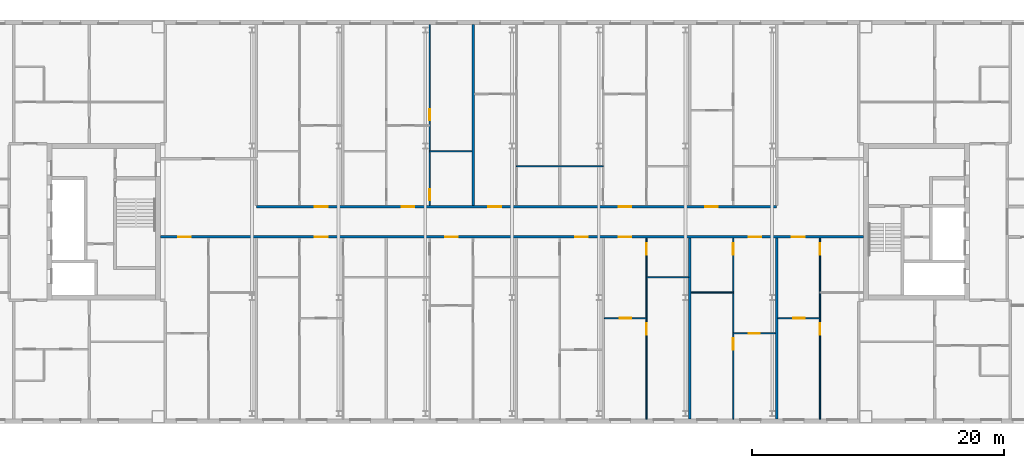
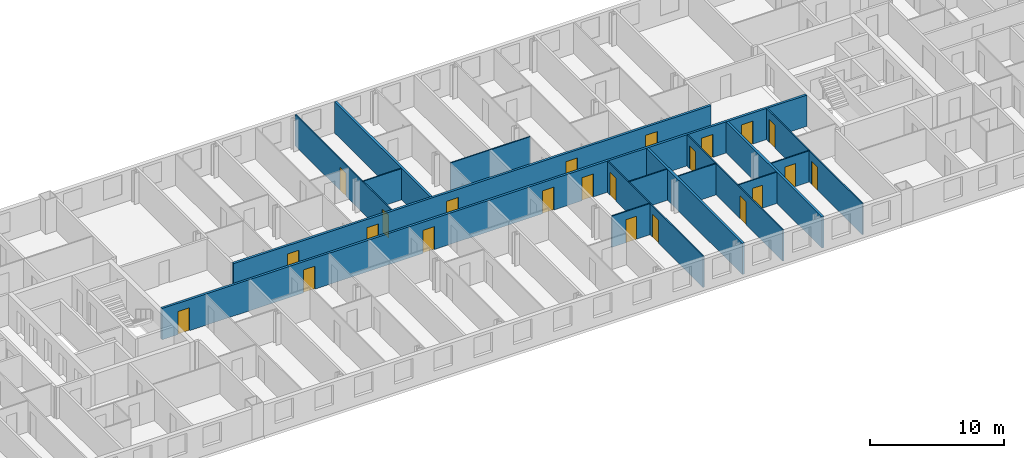
# One storey, part 11 of 19: 23 doors, 16 walls, 23 openings.
"""IFC4 building model written with IfcOpenShell, lengths in metres."""

import ifcopenshell
import ifcopenshell.guid

model = None  # the IFC model being written
_history = None  # IfcOwnerHistory: only IFC2X3 demands one
_inside = {}  # id of a spatial element -> (the spatial element, [elements in it])
_under = {}  # id of a project, library or spatial element -> (it, [spatial elements below it])
_declared = {}  # id of a project -> (the project, [libraries it declares])
_typed = {}  # id of a type object -> (the type object, [elements of that type])
_made_of = {}  # id of a material, layer set ... -> (it, [elements and type objects made of it])


def new_model(schema):
    """Start an empty IFC model of exactly this schema.

    Asked for "IFC4X3", IfcOpenShell would pick the latest addendum, in which some entities
    have other attributes; the version numbers below select the first issue.
    IFC2X3 requires an IfcOwnerHistory on every rooted entity: one is made here for all.
    """
    global model, _history
    if schema == "IFC4X3":
        model = ifcopenshell.file(schema_version=(4, 3, 0, 0))
    else:
        model = ifcopenshell.file(schema=schema)
    _inside.clear()
    _under.clear()
    _declared.clear()
    _typed.clear()
    _made_of.clear()
    _history = None
    if model.schema == "IFC2X3":
        org = make("IfcOrganization", Name="unknown")
        user = make(
            "IfcPersonAndOrganization",
            ThePerson=make("IfcPerson", FamilyName="unknown"),
            TheOrganization=org,
        )
        app = make(
            "IfcApplication",
            ApplicationDeveloper=org,
            Version="unknown",
            ApplicationFullName="unknown",
            ApplicationIdentifier="unknown",
        )
        _history = make(
            "IfcOwnerHistory",
            OwningUser=user,
            OwningApplication=app,
            ChangeAction="ADDED",
            CreationDate=0,
        )
    return model


def make(cls, **values):
    """One entity of the class cls with the attributes given. An attribute that is None is left unset."""
    return model.create_entity(
        cls, **{name: value for name, value in values.items() if value is not None}
    )


def rooted(cls, **values):
    """An entity with a GlobalId (a new one), such as an element, a storey or a relation."""
    return make(cls, GlobalId=ifcopenshell.guid.new(), OwnerHistory=_history, **values)


def si_unit(unit_type, name, prefix=None):
    """IfcSIUnit, for example si_unit("LENGTHUNIT", "METRE", prefix="MILLI")."""
    return make("IfcSIUnit", UnitType=unit_type, Prefix=prefix, Name=name)


def assignment(units):
    """IfcUnitAssignment: the units of a project."""
    return None if units is None else make("IfcUnitAssignment", Units=units)


def point(xyz):
    """IfcCartesianPoint."""
    return None if xyz is None else make("IfcCartesianPoint", Coordinates=xyz)


def direction(xyz):
    """IfcDirection."""
    return None if xyz is None else make("IfcDirection", DirectionRatios=xyz)


def frame(location, z_axis=None, x_axis=None):
    """IfcAxis2Placement3D, a coordinate frame: its origin and axes. An axis left out is left unset."""
    return make(
        "IfcAxis2Placement3D",
        Location=point(location),
        Axis=direction(z_axis),
        RefDirection=direction(x_axis),
    )


def frame_2d(location, x_axis=None):
    """IfcAxis2Placement2D, a coordinate frame in the plane: its origin and x axis."""
    return make(
        "IfcAxis2Placement2D", Location=point(location), RefDirection=direction(x_axis)
    )


def origin():
    """The frame at (0, 0, 0) with its axes left unset."""
    return frame((0.0, 0.0, 0.0))


def place(relative_to, where):
    """IfcLocalPlacement: puts the frame where relative to a parent placement (None: the world)."""
    return make(
        "IfcLocalPlacement", PlacementRelTo=relative_to, RelativePlacement=where
    )


def context(
    kind, dimensions, precision=None, world=None, true_north=None, identifier=None
):
    """IfcGeometricRepresentationContext, for example the 3D "Model" context."""
    return make(
        "IfcGeometricRepresentationContext",
        ContextIdentifier=identifier,
        ContextType=kind,
        CoordinateSpaceDimension=dimensions,
        Precision=precision,
        WorldCoordinateSystem=world,
        TrueNorth=true_north,
    )


def subcontext(parent, identifier, kind, view, scale=None):
    """IfcGeometricRepresentationSubContext, for example "Body" below "Model"."""
    return make(
        "IfcGeometricRepresentationSubContext",
        ContextIdentifier=identifier,
        ContextType=kind,
        ParentContext=parent,
        TargetScale=scale,
        TargetView=view,
    )


def project(units=None, contexts=None):
    """IfcProject with its units and contexts."""
    return rooted(
        "IfcProject",
        Name="project",
        RepresentationContexts=contexts,
        UnitsInContext=assignment(units),
    )


def spatial(cls, under=None, at=None, **own):
    """A site, building, storey or space (cls), placed at a placement, below another one or the project."""
    s = rooted(cls, ObjectPlacement=at, **own)
    if under is not None:
        _under.setdefault(under.id(), (under, []))[1].append(s)
    return s


def profile(cls, at=None, kind="AREA", **sizes):
    """A parametric profile (cls). Its sizes go by their IFC names, for example OverallWidth=200.0."""
    return make(cls, ProfileType=kind, Position=at, **sizes)


def rectangle(**sizes):
    """IfcRectangleProfileDef."""
    return profile("IfcRectangleProfileDef", **sizes)


def extrude(swept, where, along, depth):
    """IfcExtrudedAreaSolid: the profile swept, set in the frame where, extruded along a direction by depth."""
    return make(
        "IfcExtrudedAreaSolid",
        SweptArea=swept,
        Position=where,
        ExtrudedDirection=direction(along),
        Depth=depth,
    )


def shape(context_of_items, identifier, shape_type, items):
    """IfcShapeRepresentation: the items that make up one representation, for example the "Body"."""
    return make(
        "IfcShapeRepresentation",
        ContextOfItems=context_of_items,
        RepresentationIdentifier=identifier,
        RepresentationType=shape_type,
        Items=items,
    )


def material(Name=None, Category=None):
    """IfcMaterial."""
    return make("IfcMaterial", Name=Name, Category=Category)


def layer(
    of_material, thickness, ventilated=None, Name=None, Category=None, Priority=None
):
    """IfcMaterialLayer: one layer of a wall or slab, of a material (None: an air gap)."""
    return make(
        "IfcMaterialLayer",
        Material=of_material,
        LayerThickness=thickness,
        IsVentilated=ventilated,
        Name=Name,
        Category=Category,
        Priority=Priority,
    )


def layer_set(layers, Name=None):
    """IfcMaterialLayerSet."""
    return make("IfcMaterialLayerSet", MaterialLayers=layers, LayerSetName=Name)


def made_of(thing, what):
    """Note that an element or type object is made of a material, layer set ...; save() writes the relation."""
    if what is not None:
        _made_of.setdefault(what.id(), (what, []))[1].append(thing)
    return thing


def type_object(cls, material=None, **own):
    """A type object (cls), such as IfcWallType, which elements share."""
    return made_of(rooted(cls, **own), material)


def element(
    cls,
    number,
    at=None,
    inside=None,
    cuts=None,
    type_object=None,
    material=None,
    context=None,
    identifier="Body",
    shape_type=None,
    held_by="IfcProductDefinitionShape",
    body=None,
    shapes=None,
    **own,
):
    """One element of the class cls, such as IfcWall. Its Tag is "e" and its number.

    at: its placement. inside: the storey or other place that contains it. cuts: it is an
    opening in that element (IfcRelVoidsElement). A single representation is given by context,
    identifier, shape_type and body (its items); several are given by shapes. held_by: the class
    of the entity that holds the representations. save() writes the other relations.
    """
    e = rooted(cls, Tag="e%d" % number, ObjectPlacement=at, **own)
    if body is not None:
        shapes = [shape(context, identifier, shape_type, body)]
    if shapes is not None:
        e.Representation = make(held_by, Representations=shapes)
    if inside is not None:
        _inside.setdefault(inside.id(), (inside, []))[1].append(e)
    if cuts is not None:
        rooted(
            "IfcRelVoidsElement", RelatingBuildingElement=cuts, RelatedOpeningElement=e
        )
    if type_object is not None:
        _typed.setdefault(type_object.id(), (type_object, []))[1].append(e)
    return made_of(e, material)


def fill(opening, filler):
    """IfcRelFillsElement: the door or window that sits in an opening."""
    return rooted(
        "IfcRelFillsElement",
        RelatingOpeningElement=opening,
        RelatedBuildingElement=filler,
    )


def aggregate(whole, parts):
    """IfcRelAggregates: a whole, such as a stair, and the parts it consists of."""
    return rooted("IfcRelAggregates", RelatingObject=whole, RelatedObjects=parts)


def save(model, path):
    """Write the relations noted so far, then the file.

    IfcRelAggregates (storeys below a building ...), IfcRelContainedInSpatialStructure (elements
    in a storey), IfcRelDefinesByType, IfcRelAssociatesMaterial and IfcRelDeclares: one each for
    every whole, place, type object, material and project.
    """
    for whole, parts in _under.values():
        aggregate(whole, parts)
    for where, things in _inside.values():
        rooted(
            "IfcRelContainedInSpatialStructure",
            RelatedElements=things,
            RelatingStructure=where,
        )
    for kind, things in _typed.values():
        rooted("IfcRelDefinesByType", RelatedObjects=things, RelatingType=kind)
    for what, things in _made_of.values():
        rooted("IfcRelAssociatesMaterial", RelatedObjects=things, RelatingMaterial=what)
    for by, libraries in _declared.values():
        rooted("IfcRelDeclares", RelatingContext=by, RelatedDefinitions=libraries)
    model.write(path)


model = new_model("IFC4")

# Units and contexts
model_context = context("Model", 3, precision=1e-05, world=origin(), true_north=direction((0.0, 1.0)))
body_context = subcontext(model_context, "Body", "Model", "MODEL_VIEW")
ifc_project = project(units=[si_unit("LENGTHUNIT", "METRE"), si_unit("AREAUNIT", "SQUARE_METRE"), si_unit("VOLUMEUNIT", "CUBIC_METRE"), si_unit("PLANEANGLEUNIT", "RADIAN"), si_unit("MASSUNIT", "GRAM", prefix="KILO")], contexts=[model_context])

# Site, building, storey
site_placement = place(None, origin())
site = spatial("IfcSite", under=ifc_project, at=site_placement, CompositionType="ELEMENT")
building_placement = place(site_placement, origin())
building = spatial("IfcBuilding", under=site, at=building_placement, Name="Tuart Gate Housing", CompositionType="ELEMENT")
storey_placement = place(building_placement, frame((0.0, 0.0, 227.60009765625)))
storey = spatial("IfcBuildingStorey", under=building, at=storey_placement, Name="L64", CompositionType="ELEMENT", Elevation=227.60009765625)

# Wall, openings, doors
ifc_material_1 = material(Name="Concrete masonry 15 MPa", Category="masonry")
ifc_layer_1 = layer(ifc_material_1, 0.199951171875)
ifc_layer_set_1 = layer_set([ifc_layer_1], Name="Corridor wall masonry 200")
wall_type_1 = type_object("IfcWallType", Name="Corridor wall masonry 200", PredefinedType="PARTITIONING", material=ifc_layer_set_1)
wall_1_placement = place(storey_placement, frame((75.639892578125, 68.800048828125, 0.0), z_axis=(0.0, 0.0, 1.0), x_axis=(1.0, 0.0, 0.0)))
wall_1 = element("IfcWall", 1, at=wall_1_placement, inside=storey, type_object=wall_type_1, Name="Corridor wall masonry 200", PredefinedType="PARTITIONING", context=body_context, shape_type="SweptSolid", body=[
    extrude(rectangle(XDim=55.72021484375, YDim=0.199951171875, at=frame_2d((27.860107421875, 0.0))), origin(), (0.0, 0.0, 1.0), 2.849853515625),
])
opening_1_placement = place(wall_1_placement, frame((1.39892578125, 0.0, 0.0)))
opening_1 = element("IfcOpeningElement", 2, at=opening_1_placement, cuts=wall_1, Name="Opening D2359", PredefinedType="OPENING", context=body_context, shape_type="SweptSolid", body=[
    extrude(rectangle(XDim=1.0, YDim=2.10009765625, at=frame_2d((0.5, 1.050048828125))), frame((0.0, 0.10986328125, 0.0), z_axis=(0.0, -1.0, 0.0), x_axis=(1.0, 0.0, 0.0)), (0.0, 0.0, 1.0), 0.219970703125),
])
opening_2_placement = place(wall_1_placement, frame((12.240966796875, 0.0, 0.0)))
opening_2 = element("IfcOpeningElement", 3, at=opening_2_placement, cuts=wall_1, Name="Opening D2360", PredefinedType="OPENING", context=body_context, shape_type="SweptSolid", body=[
    extrude(rectangle(XDim=1.0, YDim=2.10009765625, at=frame_2d((0.5, 1.050048828125))), frame((0.0, 0.10986328125, 0.0), z_axis=(0.0, -1.0, 0.0), x_axis=(1.0, 0.0, 0.0)), (0.0, 0.0, 1.0), 0.219970703125),
])
opening_3_placement = place(wall_1_placement, frame((22.553466796875, 0.0, 0.0)))
opening_3 = element("IfcOpeningElement", 4, at=opening_3_placement, cuts=wall_1, Name="Opening D2361", PredefinedType="OPENING", context=body_context, shape_type="SweptSolid", body=[
    extrude(rectangle(XDim=1.0, YDim=2.10009765625, at=frame_2d((0.5, 1.050048828125))), frame((0.0, 0.10986328125, 0.0), z_axis=(0.0, -1.0, 0.0), x_axis=(1.0, 0.0, 0.0)), (0.0, 0.0, 1.0), 0.219970703125),
])
opening_4_placement = place(wall_1_placement, frame((32.865966796875, 0.0, 0.0)))
opening_4 = element("IfcOpeningElement", 5, at=opening_4_placement, cuts=wall_1, Name="Opening D2362", PredefinedType="OPENING", context=body_context, shape_type="SweptSolid", body=[
    extrude(rectangle(XDim=1.0, YDim=2.10009765625, at=frame_2d((0.5, 1.050048828125))), frame((0.0, 0.10986328125, 0.0), z_axis=(0.0, -1.0, 0.0), x_axis=(1.0, 0.0, 0.0)), (0.0, 0.0, 1.0), 0.219970703125),
])
opening_5_placement = place(wall_1_placement, frame((36.303466796875, 0.0, 0.0)))
opening_5 = element("IfcOpeningElement", 6, at=opening_5_placement, cuts=wall_1, Name="Opening D2363", PredefinedType="OPENING", context=body_context, shape_type="SweptSolid", body=[
    extrude(rectangle(XDim=1.0, YDim=2.10009765625, at=frame_2d((0.5, 1.050048828125))), frame((0.0, 0.10986328125, 0.0), z_axis=(0.0, -1.0, 0.0), x_axis=(1.0, 0.0, 0.0)), (0.0, 0.0, 1.0), 0.219970703125),
])
opening_6_placement = place(wall_1_placement, frame((46.615966796875, 0.0, 0.0)))
opening_6 = element("IfcOpeningElement", 7, at=opening_6_placement, cuts=wall_1, Name="Opening D2364", PredefinedType="OPENING", context=body_context, shape_type="SweptSolid", body=[
    extrude(rectangle(XDim=1.0, YDim=2.10009765625, at=frame_2d((0.5, 1.050048828125))), frame((0.0, 0.10986328125, 0.0), z_axis=(0.0, -1.0, 0.0), x_axis=(1.0, 0.0, 0.0)), (0.0, 0.0, 1.0), 0.219970703125),
])
opening_7_placement = place(wall_1_placement, frame((50.053466796875, 0.0, 0.0)))
opening_7 = element("IfcOpeningElement", 8, at=opening_7_placement, cuts=wall_1, Name="Opening D2365", PredefinedType="OPENING", context=body_context, shape_type="SweptSolid", body=[
    extrude(rectangle(XDim=1.0, YDim=2.10009765625, at=frame_2d((0.5, 1.050048828125))), frame((0.0, 0.10986328125, 0.0), z_axis=(0.0, -1.0, 0.0), x_axis=(1.0, 0.0, 0.0)), (0.0, 0.0, 1.0), 0.219970703125),
])
ifc_material_2 = material(Name="Timber door leaf in steel frame", Category="steel")
door_type_1 = type_object("IfcDoorType", Name="Flat entrance door 1000 RH", OperationType="SINGLE_SWING_RIGHT", PredefinedType="DOOR", material=ifc_material_2)
door_1_placement = place(opening_1_placement, frame((1.0, 0.0, 0.0), z_axis=(0.0, 0.0, 1.0), x_axis=(-1.0, 0.0, 0.0)))
door_1 = element("IfcDoor", 9, at=door_1_placement, inside=storey, type_object=door_type_1, Name="Flat entrance door", OperationType="SINGLE_SWING_RIGHT", OverallHeight=2.10009765625, OverallWidth=1.0, PredefinedType="DOOR", context=body_context, shape_type="SweptSolid", body=[
    extrude(rectangle(XDim=1.0, YDim=2.10009765625, at=frame_2d((0.5, 1.050048828125))), frame((0.0, 0.025146484375, 0.0), z_axis=(0.0, -1.0, 0.0), x_axis=(1.0, 0.0, 0.0)), (0.0, 0.0, 1.0), 0.050048828125),
])
fill(opening_1, door_1)
door_2_placement = place(opening_2_placement, frame((1.0, 0.0, 0.0), z_axis=(0.0, 0.0, 1.0), x_axis=(-1.0, 0.0, 0.0)))
door_2 = element("IfcDoor", 10, at=door_2_placement, inside=storey, type_object=door_type_1, Name="Flat entrance door", OperationType="SINGLE_SWING_RIGHT", OverallHeight=2.10009765625, OverallWidth=1.0, PredefinedType="DOOR", context=body_context, shape_type="SweptSolid", body=[
    extrude(rectangle(XDim=1.0, YDim=2.10009765625, at=frame_2d((0.5, 1.050048828125))), frame((0.0, 0.025146484375, 0.0), z_axis=(0.0, -1.0, 0.0), x_axis=(1.0, 0.0, 0.0)), (0.0, 0.0, 1.0), 0.050048828125),
])
fill(opening_2, door_2)
door_3_placement = place(opening_3_placement, frame((1.0, 0.0, 0.0), z_axis=(0.0, 0.0, 1.0), x_axis=(-1.0, 0.0, 0.0)))
door_3 = element("IfcDoor", 11, at=door_3_placement, inside=storey, type_object=door_type_1, Name="Flat entrance door", OperationType="SINGLE_SWING_RIGHT", OverallHeight=2.10009765625, OverallWidth=1.0, PredefinedType="DOOR", context=body_context, shape_type="SweptSolid", body=[
    extrude(rectangle(XDim=1.0, YDim=2.10009765625, at=frame_2d((0.5, 1.050048828125))), frame((0.0, 0.025146484375, 0.0), z_axis=(0.0, -1.0, 0.0), x_axis=(1.0, 0.0, 0.0)), (0.0, 0.0, 1.0), 0.050048828125),
])
fill(opening_3, door_3)
door_4_placement = place(opening_4_placement, frame((1.0, 0.0, 0.0), z_axis=(0.0, 0.0, 1.0), x_axis=(-1.0, 0.0, 0.0)))
door_4 = element("IfcDoor", 12, at=door_4_placement, inside=storey, type_object=door_type_1, Name="Flat entrance door", OperationType="SINGLE_SWING_RIGHT", OverallHeight=2.10009765625, OverallWidth=1.0, PredefinedType="DOOR", context=body_context, shape_type="SweptSolid", body=[
    extrude(rectangle(XDim=1.0, YDim=2.10009765625, at=frame_2d((0.5, 1.050048828125))), frame((0.0, 0.025146484375, 0.0), z_axis=(0.0, -1.0, 0.0), x_axis=(1.0, 0.0, 0.0)), (0.0, 0.0, 1.0), 0.050048828125),
])
fill(opening_4, door_4)
door_5_placement = place(opening_5_placement, frame((1.0, 0.0, 0.0), z_axis=(0.0, 0.0, 1.0), x_axis=(-1.0, 0.0, 0.0)))
door_5 = element("IfcDoor", 13, at=door_5_placement, inside=storey, type_object=door_type_1, Name="Flat entrance door", OperationType="SINGLE_SWING_RIGHT", OverallHeight=2.10009765625, OverallWidth=1.0, PredefinedType="DOOR", context=body_context, shape_type="SweptSolid", body=[
    extrude(rectangle(XDim=1.0, YDim=2.10009765625, at=frame_2d((0.5, 1.050048828125))), frame((0.0, 0.025146484375, 0.0), z_axis=(0.0, -1.0, 0.0), x_axis=(1.0, 0.0, 0.0)), (0.0, 0.0, 1.0), 0.050048828125),
])
fill(opening_5, door_5)
door_6_placement = place(opening_6_placement, frame((1.0, 0.0, 0.0), z_axis=(0.0, 0.0, 1.0), x_axis=(-1.0, 0.0, 0.0)))
door_6 = element("IfcDoor", 14, at=door_6_placement, inside=storey, type_object=door_type_1, Name="Flat entrance door", OperationType="SINGLE_SWING_RIGHT", OverallHeight=2.10009765625, OverallWidth=1.0, PredefinedType="DOOR", context=body_context, shape_type="SweptSolid", body=[
    extrude(rectangle(XDim=1.0, YDim=2.10009765625, at=frame_2d((0.5, 1.050048828125))), frame((0.0, 0.025146484375, 0.0), z_axis=(0.0, -1.0, 0.0), x_axis=(1.0, 0.0, 0.0)), (0.0, 0.0, 1.0), 0.050048828125),
])
fill(opening_6, door_6)
door_7_placement = place(opening_7_placement, frame((1.0, 0.0, 0.0), z_axis=(0.0, 0.0, 1.0), x_axis=(-1.0, 0.0, 0.0)))
door_7 = element("IfcDoor", 15, at=door_7_placement, inside=storey, type_object=door_type_1, Name="Flat entrance door", OperationType="SINGLE_SWING_RIGHT", OverallHeight=2.10009765625, OverallWidth=1.0, PredefinedType="DOOR", context=body_context, shape_type="SweptSolid", body=[
    extrude(rectangle(XDim=1.0, YDim=2.10009765625, at=frame_2d((0.5, 1.050048828125))), frame((0.0, 0.025146484375, 0.0), z_axis=(0.0, -1.0, 0.0), x_axis=(1.0, 0.0, 0.0)), (0.0, 0.0, 1.0), 0.050048828125),
])
fill(opening_7, door_7)

wall_2_placement = place(storey_placement, frame((83.22509765625, 71.199951171875, 0.0), z_axis=(0.0, 0.0, 1.0), x_axis=(1.0, 0.0, 0.0)))
wall_2 = element("IfcWall", 16, at=wall_2_placement, inside=storey, type_object=wall_type_1, Name="Corridor wall masonry 200", PredefinedType="PARTITIONING", context=body_context, shape_type="SweptSolid", body=[
    extrude(rectangle(XDim=41.25, YDim=0.199951171875, at=frame_2d((20.625, 0.0))), origin(), (0.0, 0.0, 1.0), 2.849853515625),
])
opening_8_placement = place(wall_2_placement, frame((4.656005859375, 0.0, 0.0)))
opening_8 = element("IfcOpeningElement", 17, at=opening_8_placement, cuts=wall_2, Name="Opening D2354", PredefinedType="OPENING", context=body_context, shape_type="SweptSolid", body=[
    extrude(rectangle(XDim=1.0, YDim=2.10009765625, at=frame_2d((0.5, 1.050048828125))), frame((0.0, 0.10986328125, 0.0), z_axis=(0.0, -1.0, 0.0), x_axis=(1.0, 0.0, 0.0)), (0.0, 0.0, 1.0), 0.219970703125),
])
opening_9_placement = place(wall_2_placement, frame((11.531005859375, 0.0, 0.0)))
opening_9 = element("IfcOpeningElement", 18, at=opening_9_placement, cuts=wall_2, Name="Opening D2355", PredefinedType="OPENING", context=body_context, shape_type="SweptSolid", body=[
    extrude(rectangle(XDim=1.0, YDim=2.10009765625, at=frame_2d((0.5, 1.050048828125))), frame((0.0, 0.10986328125, 0.0), z_axis=(0.0, -1.0, 0.0), x_axis=(1.0, 0.0, 0.0)), (0.0, 0.0, 1.0), 0.219970703125),
])
opening_10_placement = place(wall_2_placement, frame((18.406005859375, 0.0, 0.0)))
opening_10 = element("IfcOpeningElement", 19, at=opening_10_placement, cuts=wall_2, Name="Opening D2356", PredefinedType="OPENING", context=body_context, shape_type="SweptSolid", body=[
    extrude(rectangle(XDim=1.0, YDim=2.10009765625, at=frame_2d((0.5, 1.050048828125))), frame((0.0, 0.10986328125, 0.0), z_axis=(0.0, -1.0, 0.0), x_axis=(1.0, 0.0, 0.0)), (0.0, 0.0, 1.0), 0.219970703125),
])
opening_11_placement = place(wall_2_placement, frame((28.718505859375, 0.0, 0.0)))
opening_11 = element("IfcOpeningElement", 20, at=opening_11_placement, cuts=wall_2, Name="Opening D2357", PredefinedType="OPENING", context=body_context, shape_type="SweptSolid", body=[
    extrude(rectangle(XDim=1.0, YDim=2.10009765625, at=frame_2d((0.5, 1.050048828125))), frame((0.0, 0.10986328125, 0.0), z_axis=(0.0, -1.0, 0.0), x_axis=(1.0, 0.0, 0.0)), (0.0, 0.0, 1.0), 0.219970703125),
])
opening_12_placement = place(wall_2_placement, frame((35.593505859375, 0.0, 0.0)))
opening_12 = element("IfcOpeningElement", 21, at=opening_12_placement, cuts=wall_2, Name="Opening D2358", PredefinedType="OPENING", context=body_context, shape_type="SweptSolid", body=[
    extrude(rectangle(XDim=1.0, YDim=2.10009765625, at=frame_2d((0.5, 1.050048828125))), frame((0.0, 0.10986328125, 0.0), z_axis=(0.0, -1.0, 0.0), x_axis=(1.0, 0.0, 0.0)), (0.0, 0.0, 1.0), 0.219970703125),
])
ifc_material_3 = material(Name="Timber door leaf in steel frame", Category="steel")
door_type_2 = type_object("IfcDoorType", Name="Flat entrance door 1000", OperationType="SINGLE_SWING_LEFT", PredefinedType="DOOR", material=ifc_material_3)
door_8_placement = place(opening_8_placement, origin())
door_8 = element("IfcDoor", 22, at=door_8_placement, inside=storey, type_object=door_type_2, Name="Flat entrance door", OperationType="SINGLE_SWING_LEFT", OverallHeight=2.10009765625, OverallWidth=1.0, PredefinedType="DOOR", context=body_context, shape_type="SweptSolid", body=[
    extrude(rectangle(XDim=1.0, YDim=2.10009765625, at=frame_2d((0.5, 1.050048828125))), frame((0.0, 0.02490234375, 0.0), z_axis=(0.0, -1.0, 0.0), x_axis=(1.0, 0.0, 0.0)), (0.0, 0.0, 1.0), 0.050048828125),
])
fill(opening_8, door_8)
door_9_placement = place(opening_9_placement, origin())
door_9 = element("IfcDoor", 23, at=door_9_placement, inside=storey, type_object=door_type_2, Name="Flat entrance door", OperationType="SINGLE_SWING_LEFT", OverallHeight=2.10009765625, OverallWidth=1.0, PredefinedType="DOOR", context=body_context, shape_type="SweptSolid", body=[
    extrude(rectangle(XDim=1.0, YDim=2.10009765625, at=frame_2d((0.5, 1.050048828125))), frame((0.0, 0.02490234375, 0.0), z_axis=(0.0, -1.0, 0.0), x_axis=(1.0, 0.0, 0.0)), (0.0, 0.0, 1.0), 0.050048828125),
])
fill(opening_9, door_9)
door_10_placement = place(opening_10_placement, origin())
door_10 = element("IfcDoor", 24, at=door_10_placement, inside=storey, type_object=door_type_2, Name="Flat entrance door", OperationType="SINGLE_SWING_LEFT", OverallHeight=2.10009765625, OverallWidth=1.0, PredefinedType="DOOR", context=body_context, shape_type="SweptSolid", body=[
    extrude(rectangle(XDim=1.0, YDim=2.10009765625, at=frame_2d((0.5, 1.050048828125))), frame((0.0, 0.02490234375, 0.0), z_axis=(0.0, -1.0, 0.0), x_axis=(1.0, 0.0, 0.0)), (0.0, 0.0, 1.0), 0.050048828125),
])
fill(opening_10, door_10)
door_11_placement = place(opening_11_placement, origin())
door_11 = element("IfcDoor", 25, at=door_11_placement, inside=storey, type_object=door_type_2, Name="Flat entrance door", OperationType="SINGLE_SWING_LEFT", OverallHeight=2.10009765625, OverallWidth=1.0, PredefinedType="DOOR", context=body_context, shape_type="SweptSolid", body=[
    extrude(rectangle(XDim=1.0, YDim=2.10009765625, at=frame_2d((0.5, 1.050048828125))), frame((0.0, 0.02490234375, 0.0), z_axis=(0.0, -1.0, 0.0), x_axis=(1.0, 0.0, 0.0)), (0.0, 0.0, 1.0), 0.050048828125),
])
fill(opening_11, door_11)
door_12_placement = place(opening_12_placement, origin())
door_12 = element("IfcDoor", 26, at=door_12_placement, inside=storey, type_object=door_type_2, Name="Flat entrance door", OperationType="SINGLE_SWING_LEFT", OverallHeight=2.10009765625, OverallWidth=1.0, PredefinedType="DOOR", context=body_context, shape_type="SweptSolid", body=[
    extrude(rectangle(XDim=1.0, YDim=2.10009765625, at=frame_2d((0.5, 1.050048828125))), frame((0.0, 0.02490234375, 0.0), z_axis=(0.0, -1.0, 0.0), x_axis=(1.0, 0.0, 0.0)), (0.0, 0.0, 1.0), 0.050048828125),
])
fill(opening_12, door_12)

# Wall, opening, door
ifc_material_4 = material(Name="Gypsum board on steel studs", Category="steel")
ifc_layer_2 = layer(ifc_material_4, 0.10009765625)
ifc_layer_set_2 = layer_set([ifc_layer_2], Name="Partition 100")
wall_type_2 = type_object("IfcWallType", Name="Partition 100", PredefinedType="PARTITIONING", material=ifc_layer_set_2)
wall_3_placement = place(storey_placement, frame((121.037109375, 61.159912109375, 0.0), z_axis=(0.0, 0.0, 1.0), x_axis=(1.0, 0.0, 0.0)))
wall_3 = element("IfcWall", 27, at=wall_3_placement, inside=storey, type_object=wall_type_2, Name="Partition 100", PredefinedType="PARTITIONING", context=body_context, shape_type="SweptSolid", body=[
    extrude(rectangle(XDim=3.337890625, YDim=0.10009765625, at=frame_2d((1.6689453125, 0.0))), origin(), (0.0, 0.0, 1.0), 2.849853515625),
])
opening_13_placement = place(wall_3_placement, frame((1.218994140625, 0.0, 0.0)))
opening_13 = element("IfcOpeningElement", 28, at=opening_13_placement, cuts=wall_3, Name="Opening D2389", PredefinedType="OPENING", context=body_context, shape_type="SweptSolid", body=[
    extrude(rectangle(XDim=0.89990234375, YDim=2.10009765625, at=frame_2d((0.449951171875, 1.050048828125))), frame((0.0, 0.06005859375, 0.0), z_axis=(0.0, -1.0, 0.0), x_axis=(1.0, 0.0, 0.0)), (0.0, 0.0, 1.0), 0.1201171875),
])
ifc_material_5 = material(Name="Timber door leaf in steel frame", Category="steel")
door_type_3 = type_object("IfcDoorType", Name="Internal door 900", OperationType="SINGLE_SWING_LEFT", PredefinedType="DOOR", material=ifc_material_5)
door_13_placement = place(opening_13_placement, origin())
door_13 = element("IfcDoor", 29, at=door_13_placement, inside=storey, type_object=door_type_3, Name="Internal door", OperationType="SINGLE_SWING_LEFT", OverallHeight=2.10009765625, OverallWidth=0.89990234375, PredefinedType="DOOR", context=body_context, shape_type="SweptSolid", body=[
    extrude(rectangle(XDim=0.89990234375, YDim=2.10009765625, at=frame_2d((0.449951171875, 1.050048828125))), frame((0.0, 0.02490234375, 0.0), z_axis=(0.0, -1.0, 0.0), x_axis=(1.0, 0.0, 0.0)), (0.0, 0.0, 1.0), 0.050048828125),
])
fill(opening_13, door_13)

wall_4_placement = place(storey_placement, frame((110.824951171875, 62.360107421875, 0.0), z_axis=(0.0, 0.0, 1.0), x_axis=(1.0, 0.0, 0.0)))
wall_4 = element("IfcWall", 30, at=wall_4_placement, inside=storey, type_object=wall_type_2, Name="Partition 100", PredefinedType="PARTITIONING", context=body_context, shape_type="SweptSolid", body=[
    extrude(rectangle(XDim=3.337158203125, YDim=0.10009765625, at=frame_2d((1.66845703125, 0.0))), origin(), (0.0, 0.0, 1.0), 2.849853515625),
])
opening_14_placement = place(wall_4_placement, frame((1.218505859375, 0.0, 0.0)))
opening_14 = element("IfcOpeningElement", 31, at=opening_14_placement, cuts=wall_4, Name="Opening D2368", PredefinedType="OPENING", context=body_context, shape_type="SweptSolid", body=[
    extrude(rectangle(XDim=0.89990234375, YDim=2.10009765625, at=frame_2d((0.449951171875, 1.050048828125))), frame((0.0, 0.06005859375, 0.0), z_axis=(0.0, -1.0, 0.0), x_axis=(1.0, 0.0, 0.0)), (0.0, 0.0, 1.0), 0.1201171875),
])
ifc_material_6 = material(Name="Timber door leaf in steel frame", Category="steel")
door_type_4 = type_object("IfcDoorType", Name="Internal door 900 RH", OperationType="SINGLE_SWING_RIGHT", PredefinedType="DOOR", material=ifc_material_6)
door_14_placement = place(opening_14_placement, origin())
door_14 = element("IfcDoor", 32, at=door_14_placement, inside=storey, type_object=door_type_4, Name="Internal door", OperationType="SINGLE_SWING_RIGHT", OverallHeight=2.10009765625, OverallWidth=0.89990234375, PredefinedType="DOOR", context=body_context, shape_type="SweptSolid", body=[
    extrude(rectangle(XDim=0.89990234375, YDim=2.10009765625, at=frame_2d((0.449951171875, 1.050048828125))), frame((0.0, 0.02490234375, 0.0), z_axis=(0.0, -1.0, 0.0), x_axis=(1.0, 0.0, 0.0)), (0.0, 0.0, 1.0), 0.050048828125),
])
fill(opening_14, door_14)

wall_5_placement = place(storey_placement, frame((124.574951171875, 62.360107421875, 0.0), z_axis=(0.0, 0.0, 1.0), x_axis=(1.0, 0.0, 0.0)))
wall_5 = element("IfcWall", 33, at=wall_5_placement, inside=storey, type_object=wall_type_2, Name="Partition 100", PredefinedType="PARTITIONING", context=body_context, shape_type="SweptSolid", body=[
    extrude(rectangle(XDim=3.337158203125, YDim=0.10009765625, at=frame_2d((1.66845703125, 0.0))), origin(), (0.0, 0.0, 1.0), 2.849853515625),
])
opening_15_placement = place(wall_5_placement, frame((1.218505859375, 0.0, 0.0)))
opening_15 = element("IfcOpeningElement", 34, at=opening_15_placement, cuts=wall_5, Name="Opening D2369", PredefinedType="OPENING", context=body_context, shape_type="SweptSolid", body=[
    extrude(rectangle(XDim=0.89990234375, YDim=2.10009765625, at=frame_2d((0.449951171875, 1.050048828125))), frame((0.0, 0.06005859375, 0.0), z_axis=(0.0, -1.0, 0.0), x_axis=(1.0, 0.0, 0.0)), (0.0, 0.0, 1.0), 0.1201171875),
])
door_15_placement = place(opening_15_placement, origin())
door_15 = element("IfcDoor", 35, at=door_15_placement, inside=storey, type_object=door_type_4, Name="Internal door", OperationType="SINGLE_SWING_RIGHT", OverallHeight=2.10009765625, OverallWidth=0.89990234375, PredefinedType="DOOR", context=body_context, shape_type="SweptSolid", body=[
    extrude(rectangle(XDim=0.89990234375, YDim=2.10009765625, at=frame_2d((0.449951171875, 1.050048828125))), frame((0.0, 0.02490234375, 0.0), z_axis=(0.0, -1.0, 0.0), x_axis=(1.0, 0.0, 0.0)), (0.0, 0.0, 1.0), 0.050048828125),
])
fill(opening_15, door_15)

# Walls
wall_6_placement = place(storey_placement, frame((117.699951171875, 64.39990234375, 0.0), z_axis=(0.0, 0.0, 1.0), x_axis=(1.0, 0.0, 0.0)))
element("IfcWall", 36, at=wall_6_placement, inside=storey, type_object=wall_type_2, Name="Partition 100", PredefinedType="PARTITIONING", context=body_context, shape_type="SweptSolid", body=[
    extrude(rectangle(XDim=3.337158203125, YDim=0.10009765625, at=frame_2d((1.66845703125, 0.0))), origin(), (0.0, 0.0, 1.0), 2.849853515625),
])
wall_7_placement = place(storey_placement, frame((114.162109375, 65.60009765625, 0.0), z_axis=(0.0, 0.0, 1.0), x_axis=(1.0, 0.0, 0.0)))
element("IfcWall", 37, at=wall_7_placement, inside=storey, type_object=wall_type_2, Name="Partition 100", PredefinedType="PARTITIONING", context=body_context, shape_type="SweptSolid", body=[
    extrude(rectangle(XDim=3.337890625, YDim=0.10009765625, at=frame_2d((1.6689453125, 0.0))), origin(), (0.0, 0.0, 1.0), 2.849853515625),
])
wall_8_placement = place(storey_placement, frame((103.85009765625, 74.39990234375, 0.0), z_axis=(0.0, 0.0, 1.0), x_axis=(1.0, 0.0, 0.0)))
element("IfcWall", 38, at=wall_8_placement, inside=storey, type_object=wall_type_2, Name="Partition 100", PredefinedType="PARTITIONING", context=body_context, shape_type="SweptSolid", body=[
    extrude(rectangle(XDim=6.875, YDim=0.10009765625, at=frame_2d((3.4375, 0.0))), origin(), (0.0, 0.0, 1.0), 2.849853515625),
])
wall_9_placement = place(storey_placement, frame((96.97509765625, 75.60009765625, 0.0), z_axis=(0.0, 0.0, 1.0), x_axis=(1.0, 0.0, 0.0)))
element("IfcWall", 39, at=wall_9_placement, inside=storey, type_object=wall_type_2, Name="Partition 100", PredefinedType="PARTITIONING", context=body_context, shape_type="SweptSolid", body=[
    extrude(rectangle(XDim=3.3369140625, YDim=0.10009765625, at=frame_2d((1.66845703125, 0.0))), origin(), (0.0, 0.0, 1.0), 2.849853515625),
])

# Wall, openings, doors
wall_10_placement = place(storey_placement, frame((96.97509765625, 71.300048828125, 0.0), z_axis=(0.0, 0.0, 1.0), x_axis=(0.0, 1.0, 0.0)))
wall_10 = element("IfcWall", 40, at=wall_10_placement, inside=storey, type_object=wall_type_2, Name="Partition 100", PredefinedType="PARTITIONING", context=body_context, shape_type="SweptSolid", body=[
    extrude(rectangle(XDim=14.33984375, YDim=0.10009765625, at=frame_2d((7.169921875, 0.0))), origin(), (0.0, 0.0, 1.0), 2.849853515625),
])
opening_16_placement = place(wall_10_placement, frame((6.739990234375, 0.0, 0.0)))
opening_16 = element("IfcOpeningElement", 41, at=opening_16_placement, cuts=wall_10, Name="Opening D2341", PredefinedType="OPENING", context=body_context, shape_type="SweptSolid", body=[
    extrude(rectangle(XDim=0.89990234375, YDim=2.10009765625, at=frame_2d((0.449951171875, 1.050048828125))), frame((0.0, 0.06005859375, 0.0), z_axis=(0.0, -1.0, 0.0), x_axis=(1.0, 0.0, 0.0)), (0.0, 0.0, 1.0), 0.1201171875),
])
opening_17_placement = place(wall_10_placement, frame((0.39990234375, 0.0, 0.0)))
opening_17 = element("IfcOpeningElement", 42, at=opening_17_placement, cuts=wall_10, Name="Opening D2340", PredefinedType="OPENING", context=body_context, shape_type="SweptSolid", body=[
    extrude(rectangle(XDim=0.89990234375, YDim=2.10009765625, at=frame_2d((0.449951171875, 1.050048828125))), frame((0.0, 0.06005859375, 0.0), z_axis=(0.0, -1.0, 0.0), x_axis=(1.0, 0.0, 0.0)), (0.0, 0.0, 1.0), 0.1201171875),
])
ifc_material_7 = material(Name="Timber door leaf in steel frame", Category="steel")
door_type_5 = type_object("IfcDoorType", Name="Bathroom door 900 RH", OperationType="SINGLE_SWING_RIGHT", PredefinedType="DOOR", material=ifc_material_7)
door_16_placement = place(opening_17_placement, frame((0.89990234375, 0.0, 0.0), z_axis=(0.0, 0.0, 1.0), x_axis=(-1.0, 0.0, 0.0)))
door_16 = element("IfcDoor", 43, at=door_16_placement, inside=storey, type_object=door_type_5, Name="Bathroom door", OperationType="SINGLE_SWING_RIGHT", OverallHeight=2.10009765625, OverallWidth=0.89990234375, PredefinedType="DOOR", context=body_context, shape_type="SweptSolid", body=[
    extrude(rectangle(XDim=0.89990234375, YDim=2.10009765625, at=frame_2d((0.449951171875, 1.050048828125))), frame((0.0, 0.025146484375, 0.0), z_axis=(0.0, -1.0, 0.0), x_axis=(1.0, 0.0, 0.0)), (0.0, 0.0, 1.0), 0.050048828125),
])
fill(opening_17, door_16)
door_17_placement = place(opening_16_placement, frame((0.89990234375, 0.0, 0.0), z_axis=(0.0, 0.0, 1.0), x_axis=(-1.0, 0.0, 0.0)))
door_17 = element("IfcDoor", 44, at=door_17_placement, inside=storey, type_object=door_type_4, Name="Internal door", OperationType="SINGLE_SWING_RIGHT", OverallHeight=2.10009765625, OverallWidth=0.89990234375, PredefinedType="DOOR", context=body_context, shape_type="SweptSolid", body=[
    extrude(rectangle(XDim=0.89990234375, YDim=2.10009765625, at=frame_2d((0.449951171875, 1.050048828125))), frame((0.0, 0.025146484375, 0.0), z_axis=(0.0, -1.0, 0.0), x_axis=(1.0, 0.0, 0.0)), (0.0, 0.0, 1.0), 0.050048828125),
])
fill(opening_16, door_17)

wall_11_placement = place(storey_placement, frame((114.162109375, 54.360107421875, 0.0), z_axis=(0.0, 0.0, 1.0), x_axis=(0.0, 1.0, 0.0)))
wall_11 = element("IfcWall", 45, at=wall_11_placement, inside=storey, type_object=wall_type_2, Name="Partition 100", PredefinedType="PARTITIONING", context=body_context, shape_type="SweptSolid", body=[
    extrude(rectangle(XDim=14.33984375, YDim=0.10009765625, at=frame_2d((7.169921875, 0.0))), origin(), (0.0, 0.0, 1.0), 2.849853515625),
])
opening_18_placement = place(wall_11_placement, frame((6.699951171875, 0.0, 0.0)))
opening_18 = element("IfcOpeningElement", 46, at=opening_18_placement, cuts=wall_11, Name="Opening D2383", PredefinedType="OPENING", context=body_context, shape_type="SweptSolid", body=[
    extrude(rectangle(XDim=0.89990234375, YDim=2.10009765625, at=frame_2d((0.449951171875, 1.050048828125))), frame((0.0, 0.06005859375, 0.0), z_axis=(0.0, -1.0, 0.0), x_axis=(1.0, 0.0, 0.0)), (0.0, 0.0, 1.0), 0.1201171875),
])
opening_19_placement = place(wall_11_placement, frame((13.0400390625, 0.0, 0.0)))
opening_19 = element("IfcOpeningElement", 47, at=opening_19_placement, cuts=wall_11, Name="Opening D2382", PredefinedType="OPENING", context=body_context, shape_type="SweptSolid", body=[
    extrude(rectangle(XDim=0.89990234375, YDim=2.10009765625, at=frame_2d((0.449951171875, 1.050048828125))), frame((0.0, 0.06005859375, 0.0), z_axis=(0.0, -1.0, 0.0), x_axis=(1.0, 0.0, 0.0)), (0.0, 0.0, 1.0), 0.1201171875),
])
ifc_material_8 = material(Name="Timber door leaf in steel frame", Category="steel")
door_type_6 = type_object("IfcDoorType", Name="Bathroom door 900", OperationType="SINGLE_SWING_LEFT", PredefinedType="DOOR", material=ifc_material_8)
door_18_placement = place(opening_19_placement, frame((0.89990234375, 0.0, 0.0), z_axis=(0.0, 0.0, 1.0), x_axis=(-1.0, 0.0, 0.0)))
door_18 = element("IfcDoor", 48, at=door_18_placement, inside=storey, type_object=door_type_6, Name="Bathroom door", OperationType="SINGLE_SWING_LEFT", OverallHeight=2.10009765625, OverallWidth=0.89990234375, PredefinedType="DOOR", context=body_context, shape_type="SweptSolid", body=[
    extrude(rectangle(XDim=0.89990234375, YDim=2.10009765625, at=frame_2d((0.449951171875, 1.050048828125))), frame((0.0, 0.025146484375, 0.0), z_axis=(0.0, -1.0, 0.0), x_axis=(1.0, 0.0, 0.0)), (0.0, 0.0, 1.0), 0.050048828125),
])
fill(opening_19, door_18)
door_19_placement = place(opening_18_placement, frame((0.89990234375, 0.0, 0.0), z_axis=(0.0, 0.0, 1.0), x_axis=(-1.0, 0.0, 0.0)))
door_19 = element("IfcDoor", 49, at=door_19_placement, inside=storey, type_object=door_type_3, Name="Internal door", OperationType="SINGLE_SWING_LEFT", OverallHeight=2.10009765625, OverallWidth=0.89990234375, PredefinedType="DOOR", context=body_context, shape_type="SweptSolid", body=[
    extrude(rectangle(XDim=0.89990234375, YDim=2.10009765625, at=frame_2d((0.449951171875, 1.050048828125))), frame((0.0, 0.025146484375, 0.0), z_axis=(0.0, -1.0, 0.0), x_axis=(1.0, 0.0, 0.0)), (0.0, 0.0, 1.0), 0.050048828125),
])
fill(opening_18, door_19)

wall_12_placement = place(storey_placement, frame((121.037109375, 54.360107421875, 0.0), z_axis=(0.0, 0.0, 1.0), x_axis=(0.0, 1.0, 0.0)))
wall_12 = element("IfcWall", 50, at=wall_12_placement, inside=storey, type_object=wall_type_2, Name="Partition 100", PredefinedType="PARTITIONING", context=body_context, shape_type="SweptSolid", body=[
    extrude(rectangle(XDim=14.33984375, YDim=0.10009765625, at=frame_2d((7.169921875, 0.0))), origin(), (0.0, 0.0, 1.0), 2.849853515625),
])
opening_20_placement = place(wall_12_placement, frame((5.5, 0.0, 0.0)))
opening_20 = element("IfcOpeningElement", 51, at=opening_20_placement, cuts=wall_12, Name="Opening D2385", PredefinedType="OPENING", context=body_context, shape_type="SweptSolid", body=[
    extrude(rectangle(XDim=0.89990234375, YDim=2.10009765625, at=frame_2d((0.449951171875, 1.050048828125))), frame((0.0, 0.06005859375, 0.0), z_axis=(0.0, -1.0, 0.0), x_axis=(1.0, 0.0, 0.0)), (0.0, 0.0, 1.0), 0.1201171875),
])
opening_21_placement = place(wall_12_placement, frame((13.0400390625, 0.0, 0.0)))
opening_21 = element("IfcOpeningElement", 52, at=opening_21_placement, cuts=wall_12, Name="Opening D2384", PredefinedType="OPENING", context=body_context, shape_type="SweptSolid", body=[
    extrude(rectangle(XDim=0.89990234375, YDim=2.10009765625, at=frame_2d((0.449951171875, 1.050048828125))), frame((0.0, 0.06005859375, 0.0), z_axis=(0.0, -1.0, 0.0), x_axis=(1.0, 0.0, 0.0)), (0.0, 0.0, 1.0), 0.1201171875),
])
door_20_placement = place(opening_21_placement, origin())
door_20 = element("IfcDoor", 53, at=door_20_placement, inside=storey, type_object=door_type_5, Name="Bathroom door", OperationType="SINGLE_SWING_RIGHT", OverallHeight=2.10009765625, OverallWidth=0.89990234375, PredefinedType="DOOR", context=body_context, shape_type="SweptSolid", body=[
    extrude(rectangle(XDim=0.89990234375, YDim=2.10009765625, at=frame_2d((0.449951171875, 1.050048828125))), frame((0.0, 0.02490234375, 0.0), z_axis=(0.0, -1.0, 0.0), x_axis=(1.0, 0.0, 0.0)), (0.0, 0.0, 1.0), 0.050048828125),
])
fill(opening_21, door_20)
door_21_placement = place(opening_20_placement, origin())
door_21 = element("IfcDoor", 54, at=door_21_placement, inside=storey, type_object=door_type_4, Name="Internal door", OperationType="SINGLE_SWING_RIGHT", OverallHeight=2.10009765625, OverallWidth=0.89990234375, PredefinedType="DOOR", context=body_context, shape_type="SweptSolid", body=[
    extrude(rectangle(XDim=0.89990234375, YDim=2.10009765625, at=frame_2d((0.449951171875, 1.050048828125))), frame((0.0, 0.02490234375, 0.0), z_axis=(0.0, -1.0, 0.0), x_axis=(1.0, 0.0, 0.0)), (0.0, 0.0, 1.0), 0.050048828125),
])
fill(opening_20, door_21)

wall_13_placement = place(storey_placement, frame((127.912109375, 54.360107421875, 0.0), z_axis=(0.0, 0.0, 1.0), x_axis=(0.0, 1.0, 0.0)))
wall_13 = element("IfcWall", 55, at=wall_13_placement, inside=storey, type_object=wall_type_2, Name="Partition 100", PredefinedType="PARTITIONING", context=body_context, shape_type="SweptSolid", body=[
    extrude(rectangle(XDim=14.33984375, YDim=0.10009765625, at=frame_2d((7.169921875, 0.0))), origin(), (0.0, 0.0, 1.0), 2.849853515625),
])
opening_22_placement = place(wall_13_placement, frame((6.699951171875, 0.0, 0.0)))
opening_22 = element("IfcOpeningElement", 56, at=opening_22_placement, cuts=wall_13, Name="Opening D2387", PredefinedType="OPENING", context=body_context, shape_type="SweptSolid", body=[
    extrude(rectangle(XDim=0.89990234375, YDim=2.10009765625, at=frame_2d((0.449951171875, 1.050048828125))), frame((0.0, 0.06005859375, 0.0), z_axis=(0.0, -1.0, 0.0), x_axis=(1.0, 0.0, 0.0)), (0.0, 0.0, 1.0), 0.1201171875),
])
opening_23_placement = place(wall_13_placement, frame((13.0400390625, 0.0, 0.0)))
opening_23 = element("IfcOpeningElement", 57, at=opening_23_placement, cuts=wall_13, Name="Opening D2386", PredefinedType="OPENING", context=body_context, shape_type="SweptSolid", body=[
    extrude(rectangle(XDim=0.89990234375, YDim=2.10009765625, at=frame_2d((0.449951171875, 1.050048828125))), frame((0.0, 0.06005859375, 0.0), z_axis=(0.0, -1.0, 0.0), x_axis=(1.0, 0.0, 0.0)), (0.0, 0.0, 1.0), 0.1201171875),
])
door_22_placement = place(opening_23_placement, frame((0.89990234375, 0.0, 0.0), z_axis=(0.0, 0.0, 1.0), x_axis=(-1.0, 0.0, 0.0)))
door_22 = element("IfcDoor", 58, at=door_22_placement, inside=storey, type_object=door_type_6, Name="Bathroom door", OperationType="SINGLE_SWING_LEFT", OverallHeight=2.10009765625, OverallWidth=0.89990234375, PredefinedType="DOOR", context=body_context, shape_type="SweptSolid", body=[
    extrude(rectangle(XDim=0.89990234375, YDim=2.10009765625, at=frame_2d((0.449951171875, 1.050048828125))), frame((0.0, 0.025146484375, 0.0), z_axis=(0.0, -1.0, 0.0), x_axis=(1.0, 0.0, 0.0)), (0.0, 0.0, 1.0), 0.050048828125),
])
fill(opening_23, door_22)
door_23_placement = place(opening_22_placement, frame((0.89990234375, 0.0, 0.0), z_axis=(0.0, 0.0, 1.0), x_axis=(-1.0, 0.0, 0.0)))
door_23 = element("IfcDoor", 59, at=door_23_placement, inside=storey, type_object=door_type_3, Name="Internal door", OperationType="SINGLE_SWING_LEFT", OverallHeight=2.10009765625, OverallWidth=0.89990234375, PredefinedType="DOOR", context=body_context, shape_type="SweptSolid", body=[
    extrude(rectangle(XDim=0.89990234375, YDim=2.10009765625, at=frame_2d((0.449951171875, 1.050048828125))), frame((0.0, 0.025146484375, 0.0), z_axis=(0.0, -1.0, 0.0), x_axis=(1.0, 0.0, 0.0)), (0.0, 0.0, 1.0), 0.050048828125),
])
fill(opening_22, door_23)

# Walls
ifc_material_9 = material(Name="Concrete masonry 15 MPa", Category="masonry")
ifc_layer_3 = layer(ifc_material_9, 0.199951171875)
ifc_layer_set_3 = layer_set([ifc_layer_3], Name="Party wall masonry 200")
wall_type_3 = type_object("IfcWallType", Name="Party wall masonry 200", PredefinedType="PARTITIONING", material=ifc_layer_set_3)
for number, where, z_axis, x_axis, name in (
    (60, (100.412109375, 71.300048828125, 0.0), (0.0, 0.0, 1.0), (0.0, 1.0, 0.0), "Party wall masonry 200"),
    (61, (117.60009765625, 54.360107421875, 0.0), (0.0, 0.0, 1.0), (0.0, 1.0, 0.0), "Party wall masonry 200"),
    (62, (124.47509765625, 54.360107421875, 0.0), (0.0, 0.0, 1.0), (0.0, 1.0, 0.0), "Party wall masonry 200"),
):
    element("IfcWall", number, at=place(storey_placement, frame(where, z_axis=z_axis, x_axis=x_axis)), inside=storey, type_object=wall_type_3, Name=name, PredefinedType="PARTITIONING", context=body_context, shape_type="SweptSolid", body=[
        extrude(rectangle(XDim=14.33984375, YDim=0.199951171875, at=frame_2d((7.169921875, 0.0))), origin(), (0.0, 0.0, 1.0), 2.849853515625),
    ])

save(model, "model.ifc")
